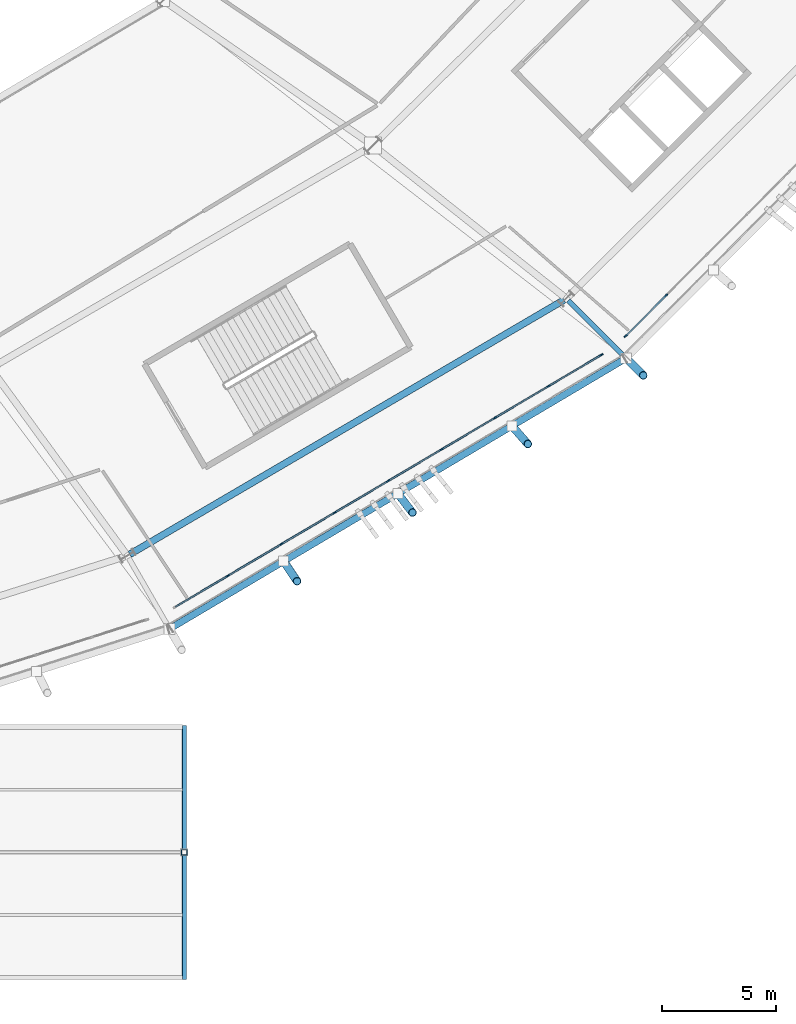
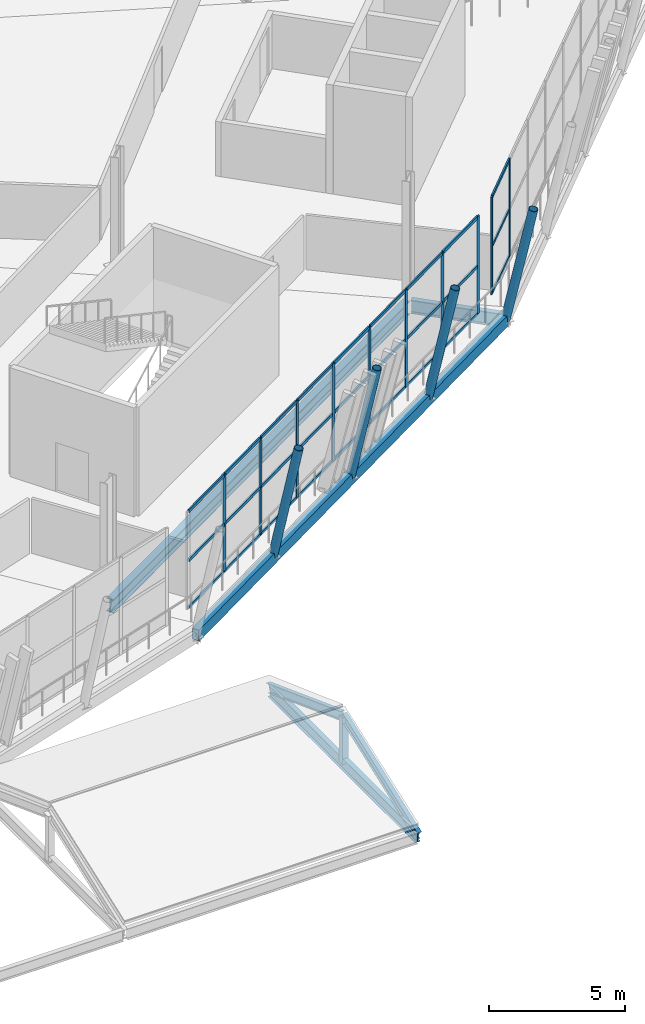
# One storey, part 50 of 168: 44 members, 4 beams, 2 elements without a shape of their own.
"""IFC4 building model written with IfcOpenShell, lengths in metres."""

from ifc_helpers import new_model, si_unit, direction, frame, origin, origin_2d, place, context, subcontext, project, spatial, rectangle, hollow_rectangle, hollow_circle, i_section, extrude, material, material_profile, profile_set, type_object, element, aggregate, save


model = new_model("IFC4")

# Units and contexts
model_context = context("Model", 3, precision=1e-05, world=origin(), true_north=direction((0.0, 1.0)))
body_context = subcontext(model_context, "Body", "Model", "MODEL_VIEW")
ifc_project = project(units=[si_unit("LENGTHUNIT", "METRE"), si_unit("AREAUNIT", "SQUARE_METRE"), si_unit("VOLUMEUNIT", "CUBIC_METRE"), si_unit("PLANEANGLEUNIT", "RADIAN"), si_unit("MASSUNIT", "GRAM", prefix="KILO")], contexts=[model_context])

# Site, building, storey
site_placement = place(None, origin())
site = spatial("IfcSite", under=ifc_project, at=site_placement, CompositionType="ELEMENT")
building_placement = place(site_placement, origin())
building = spatial("IfcBuilding", under=site, at=building_placement, Name="Zlatoyarsky Gate Stadium", CompositionType="ELEMENT")
storey_placement = place(building_placement, frame((0.0, 0.0, 15.60009765625)))
storey = spatial("IfcBuildingStorey", under=building, at=storey_placement, Name="L03", CompositionType="ELEMENT", Elevation=15.60009765625)

# Curtain wall, members
ifc_material_1 = material(Name="Thermally broken anodised aluminium curtain wall", Category="aluminium")
curtain_wall_type = type_object("IfcCurtainWallType", Name="UNITISED CORPORATE BOX GLAZING L03", PredefinedType="USERDEFINED", material=ifc_material_1)
curtain_wall_1_placement = place(storey_placement, origin())
curtain_wall_1 = element("IfcCurtainWall", 1, at=curtain_wall_1_placement, inside=storey, type_object=curtain_wall_type, Name="Curtain wall CW-L03-20", ObjectType="UNITISED GLAZING", PredefinedType="USERDEFINED")
ifc_material_2 = material(Name="Anodised aluminium 6063-T6", Category="aluminium")
ifc_material_profile_1 = material_profile(ifc_material_2, rectangle(XDim=0.06494140625, YDim=0.159912109375, at=origin_2d()), Name="ALU 65X160")
ifc_profile_set_1 = profile_set([ifc_material_profile_1], Name="Anodised aluminium 6063-T6")
member_type_1 = type_object("IfcMemberType", Name="ALUMINIUM MULLION 65X160", PredefinedType="MULLION", material=ifc_profile_set_1)
member_1_placement = place(storey_placement, frame((161.906005859375, 17.63037109375, 0.0), z_axis=(0.0, 0.0, 1.0), x_axis=(-0.509098466593, 0.860708284678, 0.0)))
member_1 = element("IfcMember", 2, at=member_1_placement, type_object=member_type_1, Name="CW-UG3 mullion 2", PredefinedType="MULLION", context=body_context, shape_type="SweptSolid", body=[
    extrude(rectangle(XDim=0.06494140625, YDim=0.159912109375, at=origin_2d()), origin(), (0.0, 0.0, 1.0), 4.3798828125),
])
member_2_placement = place(storey_placement, frame((164.25146484375, 19.017822265625, 0.0), z_axis=(0.0, 0.0, 1.0), x_axis=(-0.509098466593, 0.860708284678, 0.0)))
member_2 = element("IfcMember", 3, at=member_2_placement, type_object=member_type_1, Name="CW-UG3 mullion 3", PredefinedType="MULLION", context=body_context, shape_type="SweptSolid", body=[
    extrude(rectangle(XDim=0.06494140625, YDim=0.159912109375, at=origin_2d()), origin(), (0.0, 0.0, 1.0), 4.3798828125),
])
member_3_placement = place(storey_placement, frame((166.596923828125, 20.405029296875, 0.0), z_axis=(0.0, 0.0, 1.0), x_axis=(-0.509098466593, 0.860708284678, 0.0)))
member_3 = element("IfcMember", 4, at=member_3_placement, type_object=member_type_1, Name="CW-UG3 mullion 4", PredefinedType="MULLION", context=body_context, shape_type="SweptSolid", body=[
    extrude(rectangle(XDim=0.06494140625, YDim=0.159912109375, at=origin_2d()), origin(), (0.0, 0.0, 1.0), 4.3798828125),
])
member_4_placement = place(storey_placement, frame((168.9423828125, 21.792236328125, 0.0), z_axis=(0.0, 0.0, 1.0), x_axis=(-0.509098466593, 0.860708284678, 0.0)))
member_4 = element("IfcMember", 5, at=member_4_placement, type_object=member_type_1, Name="CW-UG3 mullion 5", PredefinedType="MULLION", context=body_context, shape_type="SweptSolid", body=[
    extrude(rectangle(XDim=0.06494140625, YDim=0.159912109375, at=origin_2d()), origin(), (0.0, 0.0, 1.0), 4.3798828125),
])
member_5_placement = place(storey_placement, frame((171.287841796875, 23.1796875, 0.0), z_axis=(0.0, 0.0, 1.0), x_axis=(-0.509098466593, 0.860708284678, 0.0)))
member_5 = element("IfcMember", 6, at=member_5_placement, type_object=member_type_1, Name="CW-UG3 mullion 6", PredefinedType="MULLION", context=body_context, shape_type="SweptSolid", body=[
    extrude(rectangle(XDim=0.06494140625, YDim=0.159912109375, at=origin_2d()), origin(), (0.0, 0.0, 1.0), 4.3798828125),
])
member_6_placement = place(storey_placement, frame((173.63330078125, 24.56689453125, 0.0), z_axis=(0.0, 0.0, 1.0), x_axis=(-0.509098466593, 0.860708284678, 0.0)))
member_6 = element("IfcMember", 7, at=member_6_placement, type_object=member_type_1, Name="CW-UG3 mullion 7", PredefinedType="MULLION", context=body_context, shape_type="SweptSolid", body=[
    extrude(rectangle(XDim=0.06494140625, YDim=0.159912109375, at=origin_2d()), origin(), (0.0, 0.0, 1.0), 4.3798828125),
])
member_7_placement = place(storey_placement, frame((175.978759765625, 25.954345703125, 0.0), z_axis=(0.0, 0.0, 1.0), x_axis=(-0.509098466593, 0.860708284678, 0.0)))
member_7 = element("IfcMember", 8, at=member_7_placement, type_object=member_type_1, Name="CW-UG3 mullion 8", PredefinedType="MULLION", context=body_context, shape_type="SweptSolid", body=[
    extrude(rectangle(XDim=0.06494140625, YDim=0.159912109375, at=origin_2d()), origin(), (0.0, 0.0, 1.0), 4.3798828125),
])
member_8_placement = place(storey_placement, frame((178.29638671875, 27.324951171875, 0.0), z_axis=(0.0, 0.0, 1.0), x_axis=(-0.509098466593, 0.860708284678, 0.0)))
member_8 = element("IfcMember", 9, at=member_8_placement, type_object=member_type_1, Name="CW-UG3 mullion 9", PredefinedType="MULLION", context=body_context, shape_type="SweptSolid", body=[
    extrude(rectangle(XDim=0.06494140625, YDim=0.159912109375, at=origin_2d()), origin(), (0.0, 0.0, 1.0), 4.3798828125),
])

curtain_wall_2_placement = place(storey_placement, origin())
curtain_wall_2 = element("IfcCurtainWall", 10, at=curtain_wall_2_placement, inside=storey, type_object=curtain_wall_type, Name="Curtain wall CW-L03-21", ObjectType="UNITISED GLAZING", PredefinedType="USERDEFINED")
member_9_placement = place(storey_placement, frame((179.365234375, 28.15625, 0.0), z_axis=(0.0, 0.0, 1.0), x_axis=(-0.708721143054, 0.705488725202, 0.0)))
member_9 = element("IfcMember", 11, at=member_9_placement, type_object=member_type_1, Name="CW-UG3 mullion 1", PredefinedType="MULLION", context=body_context, shape_type="SweptSolid", body=[
    extrude(rectangle(XDim=0.06494140625, YDim=0.159912109375, at=origin_2d()), origin(), (0.0, 0.0, 1.0), 4.3798828125),
])
member_10_placement = place(storey_placement, frame((181.134765625, 29.933837890625, 0.0), z_axis=(0.0, 0.0, 1.0), x_axis=(-0.708721143054, 0.705488725202, 0.0)))
member_10 = element("IfcMember", 12, at=member_10_placement, type_object=member_type_1, Name="CW-UG3 mullion 2", PredefinedType="MULLION", context=body_context, shape_type="SweptSolid", body=[
    extrude(rectangle(XDim=0.06494140625, YDim=0.159912109375, at=origin_2d()), origin(), (0.0, 0.0, 1.0), 4.3798828125),
])

# Member
ifc_material_profile_2 = material_profile(ifc_material_2, rectangle(XDim=0.06494140625, YDim=0.139892578125, at=origin_2d()), Name="ALU 65X140")
ifc_profile_set_2 = profile_set([ifc_material_profile_2], Name="Anodised aluminium 6063-T6")
member_type_2 = type_object("IfcMemberType", Name="ALUMINIUM TRANSOM 65X140", PredefinedType="USERDEFINED", material=ifc_profile_set_2)
member_11_placement = place(storey_placement, frame((159.616455078125, 16.276123046875, 0.032470703125), z_axis=(0.860730397217, 0.509061080133, 0.0), x_axis=(-0.509061080133, 0.860730397217, 0.0)))
member_11 = element("IfcMember", 13, at=member_11_placement, type_object=member_type_2, Name="CW-UG3 transom 1.1", ObjectType="TRANSOM", PredefinedType="USERDEFINED", context=body_context, shape_type="SweptSolid", body=[
    extrude(rectangle(XDim=0.06494140625, YDim=0.139892578125, at=origin_2d()), origin(), (0.0, 0.0, 1.0), 2.627685546875),
])

member_12_placement = place(storey_placement, frame((159.616455078125, 16.276123046875, 2.14990234375), z_axis=(0.860730397217, 0.509061080133, 0.0), x_axis=(-0.509061080133, 0.860730397217, 0.0)))
member_12 = element("IfcMember", 14, at=member_12_placement, type_object=member_type_2, Name="CW-UG3 transom 1.2", ObjectType="TRANSOM", PredefinedType="USERDEFINED", context=body_context, shape_type="SweptSolid", body=[
    extrude(rectangle(XDim=0.06494140625, YDim=0.139892578125, at=origin_2d()), origin(), (0.0, 0.0, 1.0), 2.627685546875),
])

member_13_placement = place(storey_placement, frame((159.616455078125, 16.276123046875, 4.347412109375), z_axis=(0.860730397217, 0.509061080133, 0.0), x_axis=(-0.509061080133, 0.860730397217, 0.0)))
member_13 = element("IfcMember", 15, at=member_13_placement, type_object=member_type_2, Name="CW-UG3 transom 1.3", ObjectType="TRANSOM", PredefinedType="USERDEFINED", context=body_context, shape_type="SweptSolid", body=[
    extrude(rectangle(XDim=0.06494140625, YDim=0.139892578125, at=origin_2d()), origin(), (0.0, 0.0, 1.0), 2.627685546875),
])

member_14_placement = place(storey_placement, frame((161.93408203125, 17.64697265625, 0.032470703125), z_axis=(0.860707189663, 0.509100317878, 0.0), x_axis=(-0.509100317878, 0.860707189663, 0.0)))
member_14 = element("IfcMember", 16, at=member_14_placement, type_object=member_type_2, Name="CW-UG3 transom 2.1", ObjectType="TRANSOM", PredefinedType="USERDEFINED", context=body_context, shape_type="SweptSolid", body=[
    extrude(rectangle(XDim=0.06494140625, YDim=0.139892578125, at=origin_2d()), origin(), (0.0, 0.0, 1.0), 2.66015625),
])

member_15_placement = place(storey_placement, frame((161.93408203125, 17.64697265625, 2.14990234375), z_axis=(0.860707189663, 0.509100317878, 0.0), x_axis=(-0.509100317878, 0.860707189663, 0.0)))
member_15 = element("IfcMember", 17, at=member_15_placement, type_object=member_type_2, Name="CW-UG3 transom 2.2", ObjectType="TRANSOM", PredefinedType="USERDEFINED", context=body_context, shape_type="SweptSolid", body=[
    extrude(rectangle(XDim=0.06494140625, YDim=0.139892578125, at=origin_2d()), origin(), (0.0, 0.0, 1.0), 2.66015625),
])

member_16_placement = place(storey_placement, frame((161.93408203125, 17.64697265625, 4.347412109375), z_axis=(0.860707189663, 0.509100317878, 0.0), x_axis=(-0.509100317878, 0.860707189663, 0.0)))
member_16 = element("IfcMember", 18, at=member_16_placement, type_object=member_type_2, Name="CW-UG3 transom 2.3", ObjectType="TRANSOM", PredefinedType="USERDEFINED", context=body_context, shape_type="SweptSolid", body=[
    extrude(rectangle(XDim=0.06494140625, YDim=0.139892578125, at=origin_2d()), origin(), (0.0, 0.0, 1.0), 2.66015625),
])

member_17_placement = place(storey_placement, frame((164.279541015625, 19.0341796875, 0.032470703125), z_axis=(0.860707189663, 0.509100317878, 0.0), x_axis=(-0.509100317878, 0.860707189663, 0.0)))
member_17 = element("IfcMember", 19, at=member_17_placement, type_object=member_type_2, Name="CW-UG3 transom 3.1", ObjectType="TRANSOM", PredefinedType="USERDEFINED", context=body_context, shape_type="SweptSolid", body=[
    extrude(rectangle(XDim=0.06494140625, YDim=0.139892578125, at=origin_2d()), origin(), (0.0, 0.0, 1.0), 2.66015625),
])

member_18_placement = place(storey_placement, frame((164.279541015625, 19.0341796875, 2.14990234375), z_axis=(0.860707189663, 0.509100317878, 0.0), x_axis=(-0.509100317878, 0.860707189663, 0.0)))
member_18 = element("IfcMember", 20, at=member_18_placement, type_object=member_type_2, Name="CW-UG3 transom 3.2", ObjectType="TRANSOM", PredefinedType="USERDEFINED", context=body_context, shape_type="SweptSolid", body=[
    extrude(rectangle(XDim=0.06494140625, YDim=0.139892578125, at=origin_2d()), origin(), (0.0, 0.0, 1.0), 2.66015625),
])

member_19_placement = place(storey_placement, frame((164.279541015625, 19.0341796875, 4.347412109375), z_axis=(0.860707189663, 0.509100317878, 0.0), x_axis=(-0.509100317878, 0.860707189663, 0.0)))
member_19 = element("IfcMember", 21, at=member_19_placement, type_object=member_type_2, Name="CW-UG3 transom 3.3", ObjectType="TRANSOM", PredefinedType="USERDEFINED", context=body_context, shape_type="SweptSolid", body=[
    extrude(rectangle(XDim=0.06494140625, YDim=0.139892578125, at=origin_2d()), origin(), (0.0, 0.0, 1.0), 2.66015625),
])

member_20_placement = place(storey_placement, frame((166.625, 20.421630859375, 0.032470703125), z_axis=(0.860707189663, 0.509100317878, 0.0), x_axis=(-0.509100317878, 0.860707189663, 0.0)))
member_20 = element("IfcMember", 22, at=member_20_placement, type_object=member_type_2, Name="CW-UG3 transom 4.1", ObjectType="TRANSOM", PredefinedType="USERDEFINED", context=body_context, shape_type="SweptSolid", body=[
    extrude(rectangle(XDim=0.06494140625, YDim=0.139892578125, at=origin_2d()), origin(), (0.0, 0.0, 1.0), 2.66015625),
])

member_21_placement = place(storey_placement, frame((166.625, 20.421630859375, 2.14990234375), z_axis=(0.860707189663, 0.509100317878, 0.0), x_axis=(-0.509100317878, 0.860707189663, 0.0)))
member_21 = element("IfcMember", 23, at=member_21_placement, type_object=member_type_2, Name="CW-UG3 transom 4.2", ObjectType="TRANSOM", PredefinedType="USERDEFINED", context=body_context, shape_type="SweptSolid", body=[
    extrude(rectangle(XDim=0.06494140625, YDim=0.139892578125, at=origin_2d()), origin(), (0.0, 0.0, 1.0), 2.66015625),
])

member_22_placement = place(storey_placement, frame((166.625, 20.421630859375, 4.347412109375), z_axis=(0.860707189663, 0.509100317878, 0.0), x_axis=(-0.509100317878, 0.860707189663, 0.0)))
member_22 = element("IfcMember", 24, at=member_22_placement, type_object=member_type_2, Name="CW-UG3 transom 4.3", ObjectType="TRANSOM", PredefinedType="USERDEFINED", context=body_context, shape_type="SweptSolid", body=[
    extrude(rectangle(XDim=0.06494140625, YDim=0.139892578125, at=origin_2d()), origin(), (0.0, 0.0, 1.0), 2.66015625),
])

member_23_placement = place(storey_placement, frame((168.970458984375, 21.808837890625, 0.032470703125), z_axis=(0.860707189663, 0.509100317878, 0.0), x_axis=(-0.509100317878, 0.860707189663, 0.0)))
member_23 = element("IfcMember", 25, at=member_23_placement, type_object=member_type_2, Name="CW-UG3 transom 5.1", ObjectType="TRANSOM", PredefinedType="USERDEFINED", context=body_context, shape_type="SweptSolid", body=[
    extrude(rectangle(XDim=0.06494140625, YDim=0.139892578125, at=origin_2d()), origin(), (0.0, 0.0, 1.0), 2.66015625),
])

member_24_placement = place(storey_placement, frame((168.970458984375, 21.808837890625, 2.14990234375), z_axis=(0.860707189663, 0.509100317878, 0.0), x_axis=(-0.509100317878, 0.860707189663, 0.0)))
member_24 = element("IfcMember", 26, at=member_24_placement, type_object=member_type_2, Name="CW-UG3 transom 5.2", ObjectType="TRANSOM", PredefinedType="USERDEFINED", context=body_context, shape_type="SweptSolid", body=[
    extrude(rectangle(XDim=0.06494140625, YDim=0.139892578125, at=origin_2d()), origin(), (0.0, 0.0, 1.0), 2.66015625),
])

member_25_placement = place(storey_placement, frame((168.970458984375, 21.808837890625, 4.347412109375), z_axis=(0.860707189663, 0.509100317878, 0.0), x_axis=(-0.509100317878, 0.860707189663, 0.0)))
member_25 = element("IfcMember", 27, at=member_25_placement, type_object=member_type_2, Name="CW-UG3 transom 5.3", ObjectType="TRANSOM", PredefinedType="USERDEFINED", context=body_context, shape_type="SweptSolid", body=[
    extrude(rectangle(XDim=0.06494140625, YDim=0.139892578125, at=origin_2d()), origin(), (0.0, 0.0, 1.0), 2.66015625),
])

member_26_placement = place(storey_placement, frame((171.31591796875, 23.1962890625, 0.032470703125), z_axis=(0.860707189663, 0.509100317878, 0.0), x_axis=(-0.509100317878, 0.860707189663, 0.0)))
member_26 = element("IfcMember", 28, at=member_26_placement, type_object=member_type_2, Name="CW-UG3 transom 6.1", ObjectType="TRANSOM", PredefinedType="USERDEFINED", context=body_context, shape_type="SweptSolid", body=[
    extrude(rectangle(XDim=0.06494140625, YDim=0.139892578125, at=origin_2d()), origin(), (0.0, 0.0, 1.0), 2.66015625),
])

member_27_placement = place(storey_placement, frame((171.31591796875, 23.1962890625, 2.14990234375), z_axis=(0.860707189663, 0.509100317878, 0.0), x_axis=(-0.509100317878, 0.860707189663, 0.0)))
member_27 = element("IfcMember", 29, at=member_27_placement, type_object=member_type_2, Name="CW-UG3 transom 6.2", ObjectType="TRANSOM", PredefinedType="USERDEFINED", context=body_context, shape_type="SweptSolid", body=[
    extrude(rectangle(XDim=0.06494140625, YDim=0.139892578125, at=origin_2d()), origin(), (0.0, 0.0, 1.0), 2.66015625),
])

member_28_placement = place(storey_placement, frame((171.31591796875, 23.1962890625, 4.347412109375), z_axis=(0.860707189663, 0.509100317878, 0.0), x_axis=(-0.509100317878, 0.860707189663, 0.0)))
member_28 = element("IfcMember", 30, at=member_28_placement, type_object=member_type_2, Name="CW-UG3 transom 6.3", ObjectType="TRANSOM", PredefinedType="USERDEFINED", context=body_context, shape_type="SweptSolid", body=[
    extrude(rectangle(XDim=0.06494140625, YDim=0.139892578125, at=origin_2d()), origin(), (0.0, 0.0, 1.0), 2.66015625),
])

member_29_placement = place(storey_placement, frame((173.661376953125, 24.58349609375, 0.032470703125), z_axis=(0.860707189663, 0.509100317878, 0.0), x_axis=(-0.509100317878, 0.860707189663, 0.0)))
member_29 = element("IfcMember", 31, at=member_29_placement, type_object=member_type_2, Name="CW-UG3 transom 7.1", ObjectType="TRANSOM", PredefinedType="USERDEFINED", context=body_context, shape_type="SweptSolid", body=[
    extrude(rectangle(XDim=0.06494140625, YDim=0.139892578125, at=origin_2d()), origin(), (0.0, 0.0, 1.0), 2.66015625),
])

member_30_placement = place(storey_placement, frame((173.661376953125, 24.58349609375, 2.14990234375), z_axis=(0.860707189663, 0.509100317878, 0.0), x_axis=(-0.509100317878, 0.860707189663, 0.0)))
member_30 = element("IfcMember", 32, at=member_30_placement, type_object=member_type_2, Name="CW-UG3 transom 7.2", ObjectType="TRANSOM", PredefinedType="USERDEFINED", context=body_context, shape_type="SweptSolid", body=[
    extrude(rectangle(XDim=0.06494140625, YDim=0.139892578125, at=origin_2d()), origin(), (0.0, 0.0, 1.0), 2.66015625),
])

member_31_placement = place(storey_placement, frame((173.661376953125, 24.58349609375, 4.347412109375), z_axis=(0.860707189663, 0.509100317878, 0.0), x_axis=(-0.509100317878, 0.860707189663, 0.0)))
member_31 = element("IfcMember", 33, at=member_31_placement, type_object=member_type_2, Name="CW-UG3 transom 7.3", ObjectType="TRANSOM", PredefinedType="USERDEFINED", context=body_context, shape_type="SweptSolid", body=[
    extrude(rectangle(XDim=0.06494140625, YDim=0.139892578125, at=origin_2d()), origin(), (0.0, 0.0, 1.0), 2.66015625),
])

member_32_placement = place(storey_placement, frame((176.0068359375, 25.970947265625, 0.032470703125), z_axis=(0.860706316995, 0.509101793244, 0.0), x_axis=(-0.509101793244, 0.860706316995, 0.0)))
member_32 = element("IfcMember", 34, at=member_32_placement, type_object=member_type_2, Name="CW-UG3 transom 8.1", ObjectType="TRANSOM", PredefinedType="USERDEFINED", context=body_context, shape_type="SweptSolid", body=[
    extrude(rectangle(XDim=0.06494140625, YDim=0.139892578125, at=origin_2d()), origin(), (0.0, 0.0, 1.0), 2.62744140625),
])

member_33_placement = place(storey_placement, frame((176.0068359375, 25.970947265625, 2.14990234375), z_axis=(0.860706316995, 0.509101793244, 0.0), x_axis=(-0.509101793244, 0.860706316995, 0.0)))
member_33 = element("IfcMember", 35, at=member_33_placement, type_object=member_type_2, Name="CW-UG3 transom 8.2", ObjectType="TRANSOM", PredefinedType="USERDEFINED", context=body_context, shape_type="SweptSolid", body=[
    extrude(rectangle(XDim=0.06494140625, YDim=0.139892578125, at=origin_2d()), origin(), (0.0, 0.0, 1.0), 2.62744140625),
])

member_34_placement = place(storey_placement, frame((176.0068359375, 25.970947265625, 4.347412109375), z_axis=(0.860706316995, 0.509101793244, 0.0), x_axis=(-0.509101793244, 0.860706316995, 0.0)))
member_34 = element("IfcMember", 36, at=member_34_placement, type_object=member_type_2, Name="CW-UG3 transom 8.3", ObjectType="TRANSOM", PredefinedType="USERDEFINED", context=body_context, shape_type="SweptSolid", body=[
    extrude(rectangle(XDim=0.06494140625, YDim=0.139892578125, at=origin_2d()), origin(), (0.0, 0.0, 1.0), 2.62744140625),
])

aggregate(curtain_wall_1, [member_1, member_2, member_3, member_4, member_5, member_6, member_7, member_8, member_11, member_12, member_13, member_14, member_15, member_16, member_17, member_18, member_19, member_20, member_21, member_22, member_23, member_24, member_25, member_26, member_27, member_28, member_29, member_30, member_31, member_32, member_33, member_34])

member_35_placement = place(storey_placement, frame((179.38818359375, 28.17919921875, 0.032470703125), z_axis=(0.705456130135, 0.708753587967, 0.0), x_axis=(-0.708753587967, 0.705456130135, 0.0)))
member_35 = element("IfcMember", 37, at=member_35_placement, type_object=member_type_2, Name="CW-UG3 transom 1.1", ObjectType="TRANSOM", PredefinedType="USERDEFINED", context=body_context, shape_type="SweptSolid", body=[
    extrude(rectangle(XDim=0.06494140625, YDim=0.139892578125, at=origin_2d()), origin(), (0.0, 0.0, 1.0), 2.443359375),
])

member_36_placement = place(storey_placement, frame((179.38818359375, 28.17919921875, 2.14990234375), z_axis=(0.705456130135, 0.708753587967, 0.0), x_axis=(-0.708753587967, 0.705456130135, 0.0)))
member_36 = element("IfcMember", 38, at=member_36_placement, type_object=member_type_2, Name="CW-UG3 transom 1.2", ObjectType="TRANSOM", PredefinedType="USERDEFINED", context=body_context, shape_type="SweptSolid", body=[
    extrude(rectangle(XDim=0.06494140625, YDim=0.139892578125, at=origin_2d()), origin(), (0.0, 0.0, 1.0), 2.443359375),
])

member_37_placement = place(storey_placement, frame((179.38818359375, 28.17919921875, 4.347412109375), z_axis=(0.705456130135, 0.708753587967, 0.0), x_axis=(-0.708753587967, 0.705456130135, 0.0)))
member_37 = element("IfcMember", 39, at=member_37_placement, type_object=member_type_2, Name="CW-UG3 transom 1.3", ObjectType="TRANSOM", PredefinedType="USERDEFINED", context=body_context, shape_type="SweptSolid", body=[
    extrude(rectangle(XDim=0.06494140625, YDim=0.139892578125, at=origin_2d()), origin(), (0.0, 0.0, 1.0), 2.443359375),
])

aggregate(curtain_wall_2, [member_9, member_10, member_35, member_36, member_37])

# Beams
ifc_material_3 = material(Name="Steel S355", Category="steel")
ifc_material_profile_3 = material_profile(ifc_material_3, i_section(OverallWidth=0.219970703125, OverallDepth=0.60009765625, WebThickness=0.011962890625, FlangeThickness=0.01904296875, FilletRadius=0.02392578125, at=origin_2d()), Name="IPE 600")
ifc_profile_set_3 = profile_set([ifc_material_profile_3], Name="Steel S355")
beam_type_1 = type_object("IfcBeamType", Name="STEEL CANTILEVER FLOOR BEAM IPE 600", PredefinedType="BEAM", material=ifc_profile_set_3)
beam_1_placement = place(storey_placement, frame((176.845703125, 29.71044921875, -0.580078125), z_axis=(0.707140856158, -0.707072704572, 0.0), x_axis=(0.707072704572, 0.707140856158, 0.0)))
element("IfcBeam", 40, at=beam_1_placement, inside=storey, type_object=beam_type_1, Name="Beam B-IPE600 BM-L03-OUT-21", PredefinedType="BEAM", context=body_context, shape_type="SweptSolid", body=[
    extrude(i_section(OverallWidth=0.219970703125, OverallDepth=0.60009765625, WebThickness=0.011962890625, FlangeThickness=0.01904296875, FilletRadius=0.02392578125, at=origin_2d()), origin(), (0.0, 0.0, 1.0), 3.582275390625),
])
ifc_material_profile_4 = material_profile(ifc_material_3, i_section(OverallWidth=0.2099609375, OverallDepth=0.550048828125, WebThickness=0.010986328125, FlangeThickness=0.01708984375, FilletRadius=0.02392578125, at=origin_2d()), Name="IPE 550")
ifc_profile_set_4 = profile_set([ifc_material_profile_4], Name="Steel S355")
beam_type_2 = type_object("IfcBeamType", Name="STEEL FLOOR BEAM IPE 550", PredefinedType="BEAM", material=ifc_profile_set_4)
beam_2_placement = place(storey_placement, frame((160.0, 0.080078125, -0.55517578125), z_axis=(0.0, 1.0, 0.0), x_axis=(-1.0, 0.0, 0.0)))
element("IfcBeam", 41, at=beam_2_placement, inside=storey, type_object=beam_type_2, Name="Beam B-IPE550 BM-L03-WGY-14-A", PredefinedType="BEAM", context=body_context, shape_type="SweptSolid", body=[
    extrude(i_section(OverallWidth=0.2099609375, OverallDepth=0.550048828125, WebThickness=0.010986328125, FlangeThickness=0.01708984375, FilletRadius=0.02392578125, at=origin_2d()), origin(), (0.0, 0.0, 1.0), 10.83984375),
])

# Members
ifc_material_profile_5 = material_profile(ifc_material_3, hollow_circle(Radius=0.177734375, WallThickness=0.02001953125, at=origin_2d()), Name="CHS 355.6X20")
ifc_profile_set_5 = profile_set([ifc_material_profile_5], Name="Steel S355")
member_type_3 = type_object("IfcMemberType", Name="STEEL LEANING RIB RING STRUT CHS 355.6X20", PredefinedType="STRUT", material=ifc_profile_set_5)
member_38_placement = place(storey_placement, frame((179.37890625, 27.177490234375, -0.580078125), z_axis=(0.142688105255, -0.142688105255, 0.97942851155), x_axis=(0.707106781187, 0.707106781187, 0.0)))
element("IfcMember", 42, at=member_38_placement, inside=storey, type_object=member_type_3, Name="Leaning ring strut 21 L03 to L04", PredefinedType="STRUT", context=body_context, shape_type="SweptSolid", body=[
    extrude(hollow_circle(Radius=0.177734375, WallThickness=0.02001953125, at=origin_2d()), origin(), (0.0, 0.0, 1.0), 5.288818359375),
])
member_39_placement = place(storey_placement, frame((164.35791015625, 18.27392578125, -0.530029296875), z_axis=(0.111417541829, -0.166826182606, 0.979670942802), x_axis=(0.83158967587, 0.555390503148, 0.0)))
element("IfcMember", 43, at=member_39_placement, inside=storey, type_object=member_type_3, Name="Outward-leaning bowl louvre fin rib L03 20-1", PredefinedType="STRUT", context=body_context, shape_type="SweptSolid", body=[
    extrude(hollow_circle(Radius=0.177734375, WallThickness=0.02001953125, at=origin_2d()), origin(), (0.0, 0.0, 1.0), 5.287353515625),
])
member_40_placement = place(storey_placement, frame((169.364990234375, 21.24169921875, -0.530029296875), z_axis=(0.121863917023, -0.15880637008, 0.979760033146), x_axis=(0.793335236523, 0.608785021572, 0.0)))
element("IfcMember", 44, at=member_40_placement, inside=storey, type_object=member_type_3, Name="Outward-leaning bowl louvre fin rib L03 20-2", PredefinedType="STRUT", context=body_context, shape_type="SweptSolid", body=[
    extrude(hollow_circle(Radius=0.177734375, WallThickness=0.02001953125, at=origin_2d()), origin(), (0.0, 0.0, 1.0), 5.286865234375),
])
member_41_placement = place(storey_placement, frame((174.371826171875, 24.209716796875, -0.530029296875), z_axis=(0.132289242241, -0.150758944474, 0.979679180675), x_axis=(0.75164898085, 0.659563347668, 0.0)))
element("IfcMember", 45, at=member_41_placement, inside=storey, type_object=member_type_3, Name="Outward-leaning bowl louvre fin rib L03 20-3", PredefinedType="STRUT", context=body_context, shape_type="SweptSolid", body=[
    extrude(hollow_circle(Radius=0.177734375, WallThickness=0.02001953125, at=origin_2d()), origin(), (0.0, 0.0, 1.0), 5.287353515625),
])

# Beam
ifc_material_profile_6 = material_profile(ifc_material_3, hollow_rectangle(XDim=0.300048828125, YDim=0.5, WallThickness=0.02001953125, at=origin_2d()), Name="RHS 500X300X20")
ifc_profile_set_6 = profile_set([ifc_material_profile_6], Name="Steel S355")
beam_type_3 = type_object("IfcBeamType", Name="STEEL LOUVRE CARRIER SPANDREL RHS 500X300X20", PredefinedType="SPANDREL", material=ifc_profile_set_6)
beam_3_placement = place(storey_placement, frame((159.368408203125, 15.316162109375, -0.530029296875), z_axis=(0.860225151422, 0.509914393659, 0.0), x_axis=(-0.509914393659, 0.860225151422, 0.0)))
element("IfcBeam", 46, at=beam_3_placement, inside=storey, type_object=beam_type_3, Name="Beam SP-RHS500 BM-L03-SPD-20", PredefinedType="SPANDREL", context=body_context, shape_type="SweptSolid", body=[
    extrude(hollow_rectangle(XDim=0.300048828125, YDim=0.5, WallThickness=0.02001953125, at=origin_2d()), origin(), (0.0, 0.0, 1.0), 23.24169921875),
])

# Members
ifc_material_profile_7 = material_profile(ifc_material_3, i_section(OverallWidth=0.179931640625, OverallDepth=0.39990234375, WebThickness=0.008544921875, FlangeThickness=0.013427734375, FilletRadius=0.02099609375, at=origin_2d()), Name="IPE 400")
ifc_profile_set_7 = profile_set([ifc_material_profile_7], Name="Steel S355")
member_type_4 = type_object("IfcMemberType", Name="STEEL PAVILION ROOF RAFTER IPE 400", PredefinedType="RAFTER", material=ifc_profile_set_7)
for number, where, z_axis, x_axis, name in (
    (47, (160.0, 0.0, -0.5), (0.0, 0.937038350514, 0.349226473318), (-1.0, 0.0, 0.0), "V3_SOUTH_E roof rafter 2A"),
    (48, (160.0, 11.0, -0.5), (0.0, -0.937038350514, 0.349226473318), (1.0, 0.0, 0.0), "V3_SOUTH_E roof rafter 2B"),
):
    element("IfcMember", number, at=place(storey_placement, frame(where, z_axis=z_axis, x_axis=x_axis)), inside=storey, type_object=member_type_4, Name=name, PredefinedType="RAFTER", context=body_context, shape_type="SweptSolid", body=[
        extrude(i_section(OverallWidth=0.179931640625, OverallDepth=0.39990234375, WebThickness=0.008544921875, FlangeThickness=0.013427734375, FilletRadius=0.02099609375, at=origin_2d()), origin(), (0.0, 0.0, 1.0), 5.86962890625),
    ])
ifc_material_profile_8 = material_profile(ifc_material_3, hollow_rectangle(XDim=0.25, YDim=0.25, WallThickness=0.01611328125, at=origin_2d()), Name="SHS 250X250X16")
ifc_profile_set_8 = profile_set([ifc_material_profile_8], Name="Steel S355")
member_type_5 = type_object("IfcMemberType", Name="STEEL PAVILION TRUSS STRUT SHS 250X250X16", PredefinedType="STRUT", material=ifc_profile_set_8)
member_42_placement = place(storey_placement, frame((160.0, 5.5, -0.530029296875), z_axis=(0.0, 0.0, 1.0), x_axis=(1.0, 0.0, 0.0)))
element("IfcMember", 49, at=member_42_placement, inside=storey, type_object=member_type_5, Name="V3_SOUTH_E king post strut 2", PredefinedType="STRUT", context=body_context, shape_type="SweptSolid", body=[
    extrude(hollow_rectangle(XDim=0.25, YDim=0.25, WallThickness=0.01611328125, at=origin_2d()), origin(), (0.0, 0.0, 1.0), 2.079833984375),
])

# Beam
ifc_material_profile_9 = material_profile(ifc_material_3, i_section(OverallWidth=0.300048828125, OverallDepth=0.60009765625, WebThickness=0.015380859375, FlangeThickness=0.030029296875, FilletRadius=0.027099609375, at=origin_2d()), Name="HEB 600")
ifc_profile_set_9 = profile_set([ifc_material_profile_9], Name="Steel S355")
beam_type_4 = type_object("IfcBeamType", Name="STEEL PRIMARY GIRDER HEB 600", PredefinedType="BEAM", material=ifc_profile_set_9)
beam_4_placement = place(storey_placement, frame((157.603515625, 18.572998046875, -0.580078125), z_axis=(0.862854775092, 0.505451913738, 0.0), x_axis=(-0.505451913738, 0.862854775092, 0.0)))
element("IfcBeam", 50, at=beam_4_placement, inside=storey, type_object=beam_type_4, Name="Beam G-HEB600 BM-L03-CRC-20", PredefinedType="BEAM", context=body_context, shape_type="SweptSolid", body=[
    extrude(i_section(OverallWidth=0.300048828125, OverallDepth=0.60009765625, WebThickness=0.015380859375, FlangeThickness=0.030029296875, FilletRadius=0.027099609375, at=origin_2d()), origin(), (0.0, 0.0, 1.0), 22.08251953125),
])

save(model, "model.ifc")
